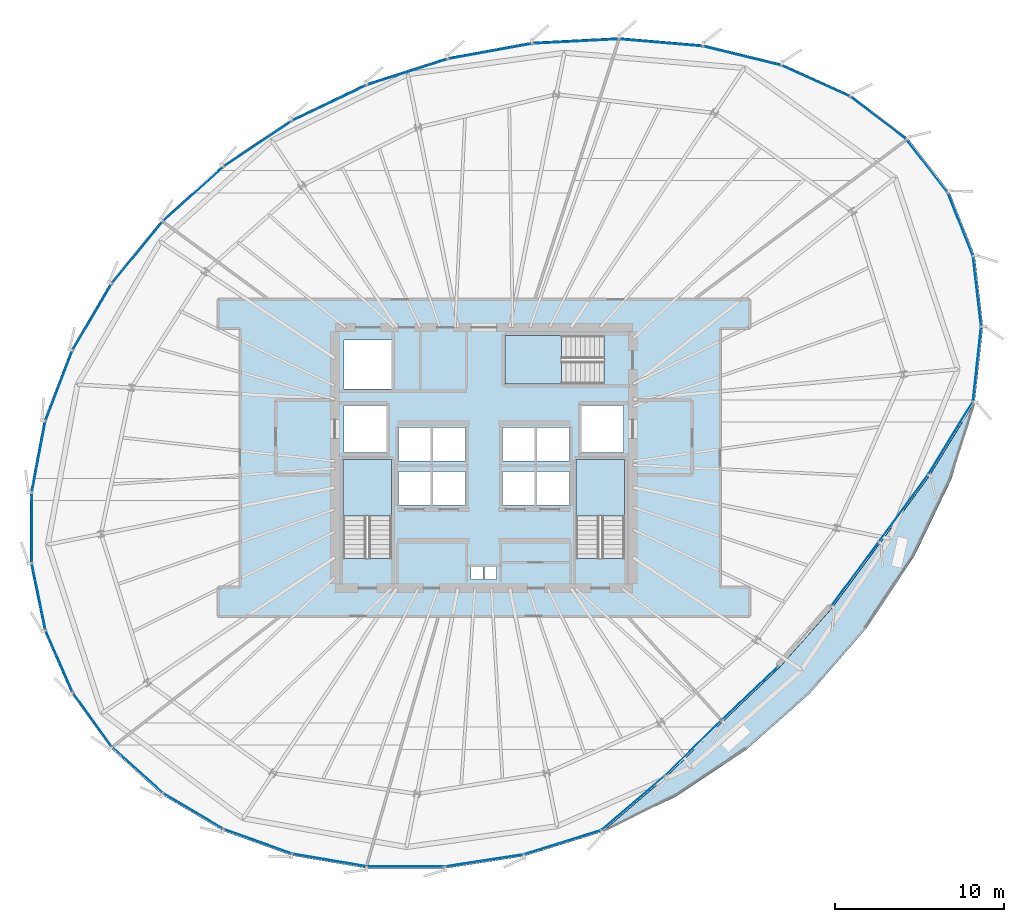
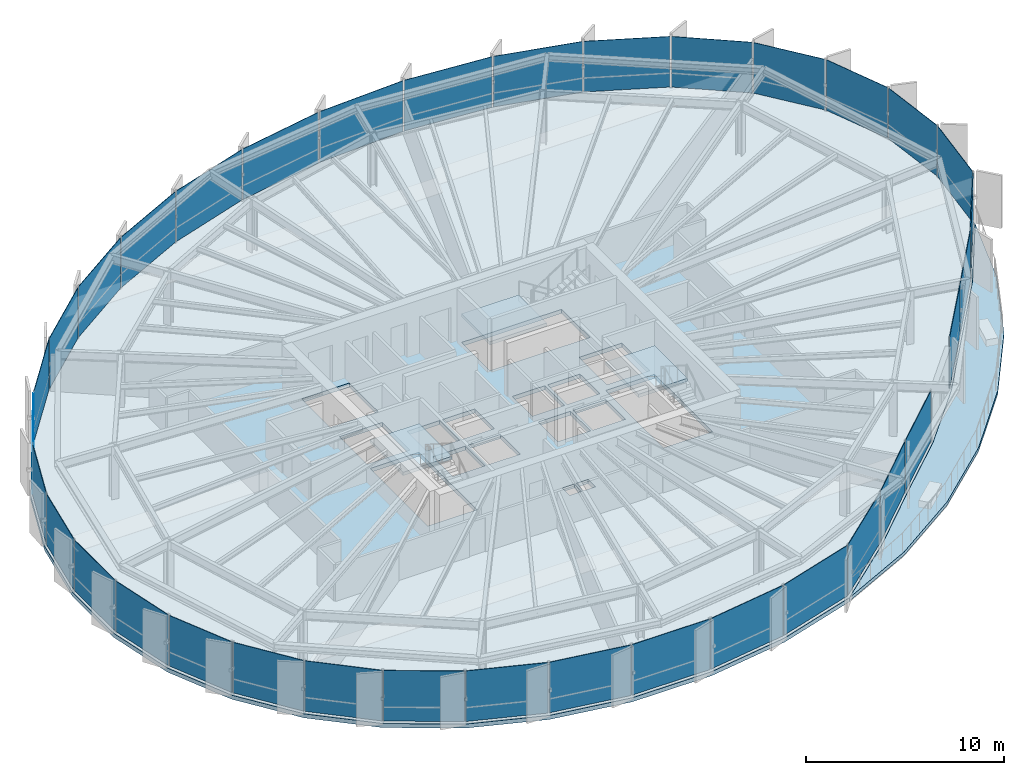
# One storey, part 27 of 34: 35 plates, 5 slabs, 9 elements without a shape of their own.
"""IFC4 building model written with IfcOpenShell, lengths in metres."""

from ifc_helpers import new_model, si_unit, direction, frame, origin, origin_2d, place, context, subcontext, project, spatial, polyline, rectangle, outline, extrude, source, transform, mapped, material, layer, layer_set, type_object, element, aggregate, save


model = new_model("IFC4")

# Units and contexts
model_context = context("Model", 3, precision=1e-05, world=origin(), true_north=direction((0.0, 1.0)))
body_context = subcontext(model_context, "Body", "Model", "MODEL_VIEW")
ifc_project = project(units=[si_unit("LENGTHUNIT", "METRE"), si_unit("AREAUNIT", "SQUARE_METRE"), si_unit("VOLUMEUNIT", "CUBIC_METRE"), si_unit("PLANEANGLEUNIT", "RADIAN"), si_unit("MASSUNIT", "GRAM", prefix="KILO"), si_unit("THERMODYNAMICTEMPERATUREUNIT", "KELVIN")], contexts=[model_context])

# Site, building, storey
site_placement = place(None, origin())
site = spatial("IfcSite", under=ifc_project, at=site_placement, CompositionType="ELEMENT")
building_placement = place(site_placement, origin())
building = spatial("IfcBuilding", under=site, at=building_placement, Name="Kethvar Cultural Tower", CompositionType="ELEMENT")
storey_placement = place(building_placement, frame((0.0, 0.0, 153.64990234375)))
storey = spatial("IfcBuildingStorey", under=building, at=storey_placement, Name="L39", CompositionType="ELEMENT", Elevation=153.64990234375)

# Stair, slab
ifc_material_1 = material(Name="Concrete C40/50", Category="concrete")
stair_type = type_object("IfcStairType", Name="ST-DOGLEG-135", PredefinedType="HALF_TURN_STAIR", material=ifc_material_1)
stair_1_placement = place(storey_placement, origin())
stair_1 = element("IfcStair", 1, at=stair_1_placement, inside=storey, type_object=stair_type, Name="L39 Core Exit Stair 1", PredefinedType="HALF_TURN_STAIR")
ifc_layer_1 = layer(ifc_material_1, 0.199951171875, Name="Concrete C40/50", Category="concrete")
ifc_layer_set_1 = layer_set([ifc_layer_1], Name="Concrete C40/50 (200 mm)")
slab_type_1 = type_object("IfcSlabType", Name="SL-STAIR-LANDING-200", PredefinedType="LANDING", material=ifc_layer_set_1)
slab_1_placement = place(storey_placement, frame((0.0, 0.0, 1.5751953125)))
slab_1 = element("IfcSlab", 2, at=slab_1_placement, type_object=slab_type_1, Name="ST-01 landing 1", PredefinedType="LANDING", context=body_context, shape_type="SweptSolid", body=[
    extrude(outline(polyline([(41.35009765625, 24.3701171875), (41.35009765625, 27.699951171875), (38.489990234375, 27.699951171875), (38.489990234375, 24.3701171875), (41.35009765625, 24.3701171875)])), origin(), (0.0, 0.0, 1.0), 0.199951171875),
])
aggregate(stair_1, [slab_1])

stair_2_placement = place(storey_placement, origin())
stair_2 = element("IfcStair", 3, at=stair_2_placement, inside=storey, type_object=stair_type, Name="L39 Core Exit Stair 2", PredefinedType="HALF_TURN_STAIR")
slab_2_placement = place(storey_placement, frame((0.0, 0.0, 1.5751953125)))
slab_2 = element("IfcSlab", 4, at=slab_2_placement, type_object=slab_type_1, Name="ST-02 landing 1", PredefinedType="LANDING", context=body_context, shape_type="SweptSolid", body=[
    extrude(outline(polyline([(55.110107421875, 24.3701171875), (55.110107421875, 27.699951171875), (52.25, 27.699951171875), (52.25, 24.3701171875), (55.110107421875, 24.3701171875)])), origin(), (0.0, 0.0, 1.0), 0.199951171875),
])
aggregate(stair_2, [slab_2])

stair_3_placement = place(storey_placement, origin())
stair_3 = element("IfcStair", 5, at=stair_3_placement, inside=storey, type_object=stair_type, Name="L39 Core Exit Stair 3", PredefinedType="HALF_TURN_STAIR")
slab_3_placement = place(storey_placement, frame((0.0, 0.0, 1.5751953125)))
slab_3 = element("IfcSlab", 6, at=slab_3_placement, type_object=slab_type_1, Name="ST-03 landing 1", PredefinedType="LANDING", context=body_context, shape_type="SweptSolid", body=[
    extrude(outline(polyline([(51.3798828125, 35.010009765625), (48.050048828125, 35.010009765625), (48.050048828125, 32.14990234375), (51.3798828125, 32.14990234375), (51.3798828125, 35.010009765625)])), origin(), (0.0, 0.0, 1.0), 0.199951171875),
])
aggregate(stair_3, [slab_3])

# Slabs
ifc_layer_2 = layer(ifc_material_1, 0.215087890625, Name="Concrete C40/50", Category="concrete")
ifc_layer_set_2 = layer_set([ifc_layer_2], Name="Concrete C40/50 (215 mm)")
slab_type_2 = type_object("IfcSlabType", Name="SL-TER-EXT", PredefinedType="FLOOR", material=ifc_layer_set_2)
slab_4_placement = place(storey_placement, frame((0.0, 0.0, -0.21484375)))
element("IfcSlab", 7, at=slab_4_placement, inside=storey, type_object=slab_type_2, Name="L39 Spiralling Sky Terrace Deck", PredefinedType="FLOOR", context=body_context, shape_type="SweptSolid", body=[
    extrude(outline(polyline([(53.79150390625, 5.70849609375), (58.197021484375, 7.819091796875), (62.295654296875, 10.55908203125), (66.059814453125, 13.90087890625), (69.409912109375, 17.762451171875), (72.233642578125, 22.02099609375), (74.4033203125, 26.5224609375), (75.789306640625, 31.094482421875), (73.131591796875, 26.753662109375), (70.205810546875, 22.77099609375), (67.380859375, 18.9482421875), (64.267578125, 15.4208984375), (60.91455078125, 12.222412109375), (57.556640625, 8.941650390625), (53.79150390625, 5.70849609375)])), origin(), (0.0, 0.0, 1.0), 0.21484375),
])
ifc_layer_3 = layer(ifc_material_1, 0.25, Name="Concrete C40/50", Category="concrete")
ifc_layer_set_3 = layer_set([ifc_layer_3], Name="Concrete C40/50 (250 mm)")
slab_type_3 = type_object("IfcSlabType", Name="SL-TOW-250", PredefinedType="FLOOR", material=ifc_layer_set_3)
slab_5_placement = place(storey_placement, frame((0.0, 0.0, -0.25)))
element("IfcSlab", 8, at=slab_5_placement, inside=storey, type_object=slab_type_3, Name="L39 Structural Floor Slab", PredefinedType="FLOOR", context=body_context, shape_type="SweptSolid", body=[
    extrude(outline(polyline([(74.30078125, 43.486083984375), (71.833984375, 46.677734375), (68.482666015625, 49.224853515625), (64.392333984375, 51.075439453125), (59.751708984375, 52.209716796875), (54.7724609375, 52.633544921875), (49.669677734375, 52.37060546875), (44.640625, 51.452880859375), (39.847900390625, 49.9140625), (35.403076171875, 47.781005859375), (31.34375, 45.063232421875), (27.75390625, 41.821044921875), (24.742919921875, 38.15283203125), (22.402099609375, 34.169921875), (20.802734375, 29.99365234375), (19.9931640625, 25.75048828125), (19.998046875, 21.56982421875), (20.8173828125, 17.578369140625), (22.42626953125, 13.8974609375), (24.775390625, 10.638916015625), (27.794189453125, 7.90185546875), (31.39013671875, 5.76953125), (35.454345703125, 4.306396484375), (39.86328125, 3.55712890625), (44.483154296875, 3.544677734375), (49.17333984375, 4.26904296875), (53.79150390625, 5.70849609375), (57.556640625, 8.941650390625), (60.91455078125, 12.222412109375), (64.267578125, 15.4208984375), (67.380859375, 18.9482421875), (70.205810546875, 22.77099609375), (73.131591796875, 26.753662109375), (75.789306640625, 31.094482421875), (76.278564453125, 35.556884765625), (75.792236328125, 39.73828125), (74.30078125, 43.486083984375)]), holes=[polyline([(38.489990234375, 21.85009765625), (38.489990234375, 27.699951171875), (41.35009765625, 27.699951171875), (41.35009765625, 21.85009765625), (38.489990234375, 21.85009765625)]), polyline([(52.25, 21.85009765625), (52.25, 27.699951171875), (55.110107421875, 27.699951171875), (55.110107421875, 21.85009765625), (52.25, 21.85009765625)]), polyline([(53.89990234375, 32.14990234375), (48.050048828125, 32.14990234375), (48.050048828125, 35.010009765625), (53.89990234375, 35.010009765625), (53.89990234375, 32.14990234375)]), polyline([(41.75, 27.0), (43.64990234375, 27.0), (43.64990234375, 25.0), (41.75, 25.0), (41.75, 27.0)]), polyline([(43.800048828125, 27.0), (45.699951171875, 27.0), (45.699951171875, 25.0), (43.800048828125, 25.0), (43.800048828125, 27.0)]), polyline([(47.89990234375, 27.0), (49.800048828125, 27.0), (49.800048828125, 25.0), (47.89990234375, 25.0), (47.89990234375, 27.0)]), polyline([(49.949951171875, 27.0), (51.85009765625, 27.0), (51.85009765625, 25.0), (49.949951171875, 25.0), (49.949951171875, 27.0)]), polyline([(41.75, 29.60009765625), (43.64990234375, 29.60009765625), (43.64990234375, 27.60009765625), (41.75, 27.60009765625), (41.75, 29.60009765625)]), polyline([(43.800048828125, 29.60009765625), (45.699951171875, 29.60009765625), (45.699951171875, 27.60009765625), (43.800048828125, 27.60009765625), (43.800048828125, 29.60009765625)]), polyline([(47.89990234375, 29.60009765625), (49.800048828125, 29.60009765625), (49.800048828125, 27.60009765625), (47.89990234375, 27.60009765625), (47.89990234375, 29.60009765625)]), polyline([(49.949951171875, 29.60009765625), (51.85009765625, 29.60009765625), (51.85009765625, 27.60009765625), (49.949951171875, 27.60009765625), (49.949951171875, 29.60009765625)]), polyline([(38.550048828125, 30.89990234375), (41.050048828125, 30.89990234375), (41.050048828125, 28.10009765625), (38.550048828125, 28.10009765625), (38.550048828125, 30.89990234375)]), polyline([(52.550048828125, 30.89990234375), (55.050048828125, 30.89990234375), (55.050048828125, 28.10009765625), (52.550048828125, 28.10009765625), (52.550048828125, 30.89990234375)]), polyline([(38.550048828125, 34.75), (41.35009765625, 34.75), (41.35009765625, 31.85009765625), (38.550048828125, 31.85009765625), (38.550048828125, 34.75)]), polyline([(46.050048828125, 21.35009765625), (46.75, 21.35009765625), (46.75, 20.60009765625), (46.050048828125, 20.60009765625), (46.050048828125, 21.35009765625)]), polyline([(46.85009765625, 21.35009765625), (47.550048828125, 21.35009765625), (47.550048828125, 20.60009765625), (46.85009765625, 20.60009765625), (46.85009765625, 21.35009765625)])]), origin(), (0.0, 0.0, 1.0), 0.25),
])

# Curtain wall, plate
ifc_material_2 = material(Name="Aluminium 6063-T6", Category="aluminium")
ifc_layer_4 = layer(ifc_material_2, 0.179931640625, Name="Aluminium 6063-T6", Category="aluminium")
ifc_layer_set_4 = layer_set([ifc_layer_4], Name="Aluminium 6063-T6 (180 mm)")
curtain_wall_type = type_object("IfcCurtainWallType", Name="CW-SYS-04-Z34", PredefinedType="NOTDEFINED", material=ifc_layer_set_4)
curtain_wall_1_placement = place(storey_placement, origin())
curtain_wall_1 = element("IfcCurtainWall", 9, at=curtain_wall_1_placement, inside=storey, type_object=curtain_wall_type, Name="L39 Curtain Wall Run 04", PredefinedType="NOTDEFINED")
ifc_material_3 = material(Name="Insulated Low-E Solar Glass", Category="glass")
ifc_layer_5 = layer(ifc_material_3, 0.030029296875, Name="Insulated Low-E Solar Glass", Category="glass")
ifc_layer_set_5 = layer_set([ifc_layer_5], Name="Insulated Low-E Solar Glass (30 mm)")
plate_type = type_object("IfcPlateType", Name="CW-SYS-04-Z34-PNL", PredefinedType="CURTAIN_PANEL", material=ifc_layer_set_5)
shared_shape_1 = source(origin(), body_context, "Body", "SweptSolid", [
    extrude(rectangle(XDim=4.233154296875, YDim=0.030029296875, at=origin_2d()), origin(), (0.0, 0.0, 1.0), 3.1201171875),
])
plate_1_placement = place(storey_placement, frame((33.45947265625, 5.141357421875, 0.090087890625), z_axis=(0.0, 0.0, 1.0), x_axis=(0.940892592565, -0.338705077104, 0.0)))
plate_1 = element("IfcPlate", 10, at=plate_1_placement, type_object=plate_type, Name="CW-L39-R04 Vision Glazing Panel 4", PredefinedType="CURTAIN_PANEL", context=body_context, shape_type="MappedRepresentation", body=[
    mapped(shared_shape_1, transform((0.0, 0.0, 0.0), scale=1.0)),
])

# Curtain wall, plates
curtain_wall_2_placement = place(storey_placement, origin())
curtain_wall_2 = element("IfcCurtainWall", 11, at=curtain_wall_2_placement, inside=storey, type_object=curtain_wall_type, Name="L39 Curtain Wall Run 01", PredefinedType="NOTDEFINED")
shared_shape_2 = source(origin(), body_context, "Body", "SweptSolid", [
    extrude(rectangle(XDim=4.910888671875, YDim=0.030029296875, at=origin_2d()), origin(), (0.0, 0.0, 1.0), 3.1201171875),
])
plate_2_placement = place(storey_placement, frame((57.252685546875, 52.31201171875, 0.090087890625), z_axis=(0.0, 0.0, 1.0), x_axis=(-0.996395808185, 0.084825664932, 0.0)))
plate_2 = element("IfcPlate", 12, at=plate_2_placement, type_object=plate_type, Name="CW-L39-R01 Vision Glazing Panel 5", PredefinedType="CURTAIN_PANEL", context=body_context, shape_type="MappedRepresentation", body=[
    mapped(shared_shape_2, transform((0.0, 0.0, 0.0), scale=1.0)),
])
shared_shape_3 = source(origin(), body_context, "Body", "SweptSolid", [
    extrude(rectangle(XDim=3.947265625, YDim=0.030029296875, at=origin_2d()), origin(), (0.0, 0.0, 1.0), 3.1201171875),
])
plate_3_placement = place(storey_placement, frame((72.98046875, 45.0146484375, 0.090087890625), z_axis=(0.0, 0.0, 1.0), x_axis=(-0.611540849548, 0.791212859687, 0.0)))
plate_3 = element("IfcPlate", 13, at=plate_3_placement, type_object=plate_type, Name="CW-L39-R01 Vision Glazing Panel 1", PredefinedType="CURTAIN_PANEL", context=body_context, shape_type="MappedRepresentation", body=[
    mapped(shared_shape_3, transform((0.0, 0.0, 0.0), scale=1.0)),
])

# Curtain wall, plate
curtain_wall_3_placement = place(storey_placement, origin())
curtain_wall_3 = element("IfcCurtainWall", 14, at=curtain_wall_3_placement, inside=storey, type_object=curtain_wall_type, Name="L39 Curtain Wall Run 06", PredefinedType="NOTDEFINED")
plate_4_placement = place(storey_placement, frame((74.9443359375, 41.57177734375, 0.090087890625), z_axis=(0.0, 0.0, 1.0), x_axis=(-0.369714324203, 0.929145477565, 0.0)))
plate_4 = element("IfcPlate", 15, at=plate_4_placement, type_object=plate_type, Name="CW-L39-R06 Vision Glazing Panel 6", PredefinedType="CURTAIN_PANEL", context=body_context, shape_type="MappedRepresentation", body=[
    mapped(shared_shape_3, transform((0.0, 0.0, 0.0), scale=1.0)),
])

# Plate
shared_shape_4 = source(origin(), body_context, "Body", "SweptSolid", [
    extrude(rectangle(XDim=4.123046875, YDim=0.030029296875, at=origin_2d()), origin(), (0.0, 0.0, 1.0), 3.1201171875),
])
plate_5_placement = place(storey_placement, frame((70.091796875, 47.86376953125, 0.090087890625), z_axis=(0.0, 0.0, 1.0), x_axis=(-0.796171001464, 0.605071678752, 0.0)))
plate_5 = element("IfcPlate", 16, at=plate_5_placement, type_object=plate_type, Name="CW-L39-R01 Vision Glazing Panel 2", PredefinedType="CURTAIN_PANEL", context=body_context, shape_type="MappedRepresentation", body=[
    mapped(shared_shape_4, transform((0.0, 0.0, 0.0), scale=1.0)),
])

shared_shape_5 = source(origin(), body_context, "Body", "SweptSolid", [
    extrude(rectangle(XDim=4.403076171875, YDim=0.030029296875, at=origin_2d()), origin(), (0.0, 0.0, 1.0), 3.1201171875),
])
plate_6_placement = place(storey_placement, frame((66.39208984375, 50.0498046875, 0.090087890625), z_axis=(0.0, 0.0, 1.0), x_axis=(-0.91108698758, 0.412214144665, 0.0)))
plate_6 = element("IfcPlate", 17, at=plate_6_placement, type_object=plate_type, Name="CW-L39-R01 Vision Glazing Panel 3", PredefinedType="CURTAIN_PANEL", context=body_context, shape_type="MappedRepresentation", body=[
    mapped(shared_shape_5, transform((0.0, 0.0, 0.0), scale=1.0)),
])

shared_shape_6 = source(origin(), body_context, "Body", "SweptSolid", [
    extrude(rectangle(XDim=4.69091796875, YDim=0.030029296875, at=origin_2d()), origin(), (0.0, 0.0, 1.0), 3.1201171875),
])
plate_7_placement = place(storey_placement, frame((62.0458984375, 51.53564453125, 0.090087890625), z_axis=(0.0, 0.0, 1.0), x_axis=(-0.971404262546, 0.237431587424, 0.0)))
plate_7 = element("IfcPlate", 18, at=plate_7_placement, type_object=plate_type, Name="CW-L39-R01 Vision Glazing Panel 4", PredefinedType="CURTAIN_PANEL", context=body_context, shape_type="MappedRepresentation", body=[
    mapped(shared_shape_6, transform((0.0, 0.0, 0.0), scale=1.0)),
])

shared_shape_7 = source(origin(), body_context, "Body", "SweptSolid", [
    extrude(rectangle(XDim=5.023193359375, YDim=0.030029296875, at=origin_2d()), origin(), (0.0, 0.0, 1.0), 3.1201171875),
])
plate_8_placement = place(storey_placement, frame((52.226806640625, 52.392333984375, 0.090087890625), z_axis=(0.0, 0.0, 1.0), x_axis=(-0.998675724309, -0.051447037584, 0.0)))
plate_8 = element("IfcPlate", 19, at=plate_8_placement, type_object=plate_type, Name="CW-L39-R01 Vision Glazing Panel 6", PredefinedType="CURTAIN_PANEL", context=body_context, shape_type="MappedRepresentation", body=[
    mapped(shared_shape_7, transform((0.0, 0.0, 0.0), scale=1.0)),
])

aggregate(curtain_wall_2, [plate_3, plate_5, plate_6, plate_7, plate_2, plate_8])

# Curtain wall, plates
curtain_wall_4_placement = place(storey_placement, origin())
curtain_wall_4 = element("IfcCurtainWall", 20, at=curtain_wall_4_placement, inside=storey, type_object=curtain_wall_type, Name="L39 Curtain Wall Run 02", PredefinedType="NOTDEFINED")
shared_shape_8 = source(origin(), body_context, "Body", "SweptSolid", [
    extrude(rectangle(XDim=5.025634765625, YDim=0.030029296875, at=origin_2d()), origin(), (0.0, 0.0, 1.0), 3.1201171875),
])
plate_9_placement = place(storey_placement, frame((47.1748046875, 51.8037109375, 0.090087890625), z_axis=(0.0, 0.0, 1.0), x_axis=(-0.983753704733, -0.179523392414, 0.0)))
plate_9 = element("IfcPlate", 21, at=plate_9_placement, type_object=plate_type, Name="CW-L39-R02 Vision Glazing Panel 1", PredefinedType="CURTAIN_PANEL", context=body_context, shape_type="MappedRepresentation", body=[
    mapped(shared_shape_8, transform((0.0, 0.0, 0.0), scale=1.0)),
])
shared_shape_9 = source(origin(), body_context, "Body", "SweptSolid", [
    extrude(rectangle(XDim=4.947265625, YDim=0.030029296875, at=origin_2d()), origin(), (0.0, 0.0, 1.0), 3.1201171875),
])
plate_10_placement = place(storey_placement, frame((42.27783203125, 50.578857421875, 0.090087890625), z_axis=(0.0, 0.0, 1.0), x_axis=(-0.952124057208, -0.305711922709, 0.0)))
plate_10 = element("IfcPlate", 22, at=plate_10_placement, type_object=plate_type, Name="CW-L39-R02 Vision Glazing Panel 2", PredefinedType="CURTAIN_PANEL", context=body_context, shape_type="MappedRepresentation", body=[
    mapped(shared_shape_9, transform((0.0, 0.0, 0.0), scale=1.0)),
])
shared_shape_10 = source(origin(), body_context, "Body", "SweptSolid", [
    extrude(rectangle(XDim=4.84375, YDim=0.030029296875, at=origin_2d()), origin(), (0.0, 0.0, 1.0), 3.1201171875),
])
plate_11_placement = place(storey_placement, frame((37.673095703125, 48.748291015625, 0.090087890625), z_axis=(0.0, 0.0, 1.0), x_axis=(-0.901560860926, -0.432652301562, 0.0)))
plate_11 = element("IfcPlate", 23, at=plate_11_placement, type_object=plate_type, Name="CW-L39-R02 Vision Glazing Panel 3", PredefinedType="CURTAIN_PANEL", context=body_context, shape_type="MappedRepresentation", body=[
    mapped(shared_shape_10, transform((0.0, 0.0, 0.0), scale=1.0)),
])
shared_shape_11 = source(origin(), body_context, "Body", "SweptSolid", [
    extrude(rectangle(XDim=4.798583984375, YDim=0.030029296875, at=origin_2d()), origin(), (0.0, 0.0, 1.0), 3.1201171875),
])
plate_12_placement = place(storey_placement, frame((33.4345703125, 46.330810546875, 0.090087890625), z_axis=(0.0, 0.0, 1.0), x_axis=(-0.830965050388, -0.556324621991, 0.0)))
plate_12 = element("IfcPlate", 24, at=plate_12_placement, type_object=plate_type, Name="CW-L39-R02 Vision Glazing Panel 4", PredefinedType="CURTAIN_PANEL", context=body_context, shape_type="MappedRepresentation", body=[
    mapped(shared_shape_11, transform((0.0, 0.0, 0.0), scale=1.0)),
])
shared_shape_12 = source(origin(), body_context, "Body", "SweptSolid", [
    extrude(rectangle(XDim=4.750732421875, YDim=0.030029296875, at=origin_2d()), origin(), (0.0, 0.0, 1.0), 3.1201171875),
])
plate_13_placement = place(storey_placement, frame((29.62255859375, 43.360595703125, 0.090087890625), z_axis=(0.0, 0.0, 1.0), x_axis=(-0.742116238524, -0.670271205199, 0.0)))
plate_13 = element("IfcPlate", 25, at=plate_13_placement, type_object=plate_type, Name="CW-L39-R02 Vision Glazing Panel 5", PredefinedType="CURTAIN_PANEL", context=body_context, shape_type="MappedRepresentation", body=[
    mapped(shared_shape_12, transform((0.0, 0.0, 0.0), scale=1.0)),
])

# Curtain wall, plate
curtain_wall_5_placement = place(storey_placement, origin())
curtain_wall_5 = element("IfcCurtainWall", 26, at=curtain_wall_5_placement, inside=storey, type_object=curtain_wall_type, Name="L39 Curtain Wall Run 05", PredefinedType="NOTDEFINED")
plate_14_placement = place(storey_placement, frame((51.44970703125, 5.09375, 0.090087890625), z_axis=(0.0, 0.0, 1.0), x_axis=(0.954698496515, 0.297574832188, 0.0)))
plate_14 = element("IfcPlate", 27, at=plate_14_placement, type_object=plate_type, Name="CW-L39-R05 Vision Glazing Panel 2", PredefinedType="CURTAIN_PANEL", context=body_context, shape_type="MappedRepresentation", body=[
    mapped(shared_shape_12, transform((0.0, 0.0, 0.0), scale=1.0)),
])

# Plate
shared_shape_13 = source(origin(), body_context, "Body", "SweptSolid", [
    extrude(rectangle(XDim=4.659423828125, YDim=0.030029296875, at=origin_2d()), origin(), (0.0, 0.0, 1.0), 3.1201171875),
])
plate_15_placement = place(storey_placement, frame((26.33349609375, 39.9169921875, 0.090087890625), z_axis=(0.0, 0.0, 1.0), x_axis=(-0.634460739636, -0.772955089162, 0.0)))
plate_15 = element("IfcPlate", 28, at=plate_15_placement, type_object=plate_type, Name="CW-L39-R02 Vision Glazing Panel 6", PredefinedType="CURTAIN_PANEL", context=body_context, shape_type="MappedRepresentation", body=[
    mapped(shared_shape_13, transform((0.0, 0.0, 0.0), scale=1.0)),
])

aggregate(curtain_wall_4, [plate_9, plate_10, plate_11, plate_12, plate_13, plate_15])

# Curtain wall, plates
curtain_wall_6_placement = place(storey_placement, origin())
curtain_wall_6 = element("IfcCurtainWall", 29, at=curtain_wall_6_placement, inside=storey, type_object=curtain_wall_type, Name="L39 Curtain Wall Run 03", PredefinedType="NOTDEFINED")
shared_shape_14 = source(origin(), body_context, "Body", "SweptSolid", [
    extrude(rectangle(XDim=4.533203125, YDim=0.030029296875, at=origin_2d()), origin(), (0.0, 0.0, 1.0), 3.1201171875),
])
plate_16_placement = place(storey_placement, frame((23.66748046875, 36.105712890625, 0.090087890625), z_axis=(0.0, 0.0, 1.0), x_axis=(-0.50669597779, -0.862124808883, 0.0)))
plate_16 = element("IfcPlate", 30, at=plate_16_placement, type_object=plate_type, Name="CW-L39-R03 Vision Glazing Panel 1", PredefinedType="CURTAIN_PANEL", context=body_context, shape_type="MappedRepresentation", body=[
    mapped(shared_shape_14, transform((0.0, 0.0, 0.0), scale=1.0)),
])
shared_shape_15 = source(origin(), body_context, "Body", "SweptSolid", [
    extrude(rectangle(XDim=4.3857421875, YDim=0.030029296875, at=origin_2d()), origin(), (0.0, 0.0, 1.0), 3.1201171875),
])
plate_17_placement = place(storey_placement, frame((21.705078125, 32.04248046875, 0.090087890625), z_axis=(0.0, 0.0, 1.0), x_axis=(-0.357650905644, -0.933855358014, 0.0)))
plate_17 = element("IfcPlate", 31, at=plate_17_placement, type_object=plate_type, Name="CW-L39-R03 Vision Glazing Panel 2", PredefinedType="CURTAIN_PANEL", context=body_context, shape_type="MappedRepresentation", body=[
    mapped(shared_shape_15, transform((0.0, 0.0, 0.0), scale=1.0)),
])

# Plate
plate_18_placement = place(storey_placement, frame((37.67724609375, 4.040283203125, 0.090087890625), z_axis=(0.0, 0.0, 1.0), x_axis=(0.985867677139, -0.167525888066, 0.0)))
plate_18 = element("IfcPlate", 32, at=plate_18_placement, type_object=plate_type, Name="CW-L39-R04 Vision Glazing Panel 5", PredefinedType="CURTAIN_PANEL", context=body_context, shape_type="MappedRepresentation", body=[
    mapped(shared_shape_15, transform((0.0, 0.0, 0.0), scale=1.0)),
])

shared_shape_16 = source(origin(), body_context, "Body", "SweptSolid", [
    extrude(rectangle(XDim=4.2333984375, YDim=0.030029296875, at=origin_2d()), origin(), (0.0, 0.0, 1.0), 3.1201171875),
])
plate_19_placement = place(storey_placement, frame((20.506103515625, 27.851318359375, 0.090087890625), z_axis=(0.0, 0.0, 1.0), x_axis=(-0.187398458704, -0.982283980158, 0.0)))
plate_19 = element("IfcPlate", 33, at=plate_19_placement, type_object=plate_type, Name="CW-L39-R03 Vision Glazing Panel 3", PredefinedType="CURTAIN_PANEL", context=body_context, shape_type="MappedRepresentation", body=[
    mapped(shared_shape_16, transform((0.0, 0.0, 0.0), scale=1.0)),
])

shared_shape_17 = source(origin(), body_context, "Body", "SweptSolid", [
    extrude(rectangle(XDim=4.09423828125, YDim=0.030029296875, at=origin_2d()), origin(), (0.0, 0.0, 1.0), 3.1201171875),
])
plate_20_placement = place(storey_placement, frame((20.105712890625, 23.66015625, 0.090087890625), z_axis=(0.0, 0.0, 1.0), x_axis=(0.001169370332, -0.999999316286, 0.0)))
plate_20 = element("IfcPlate", 34, at=plate_20_placement, type_object=plate_type, Name="CW-L39-R03 Vision Glazing Panel 4", PredefinedType="CURTAIN_PANEL", context=body_context, shape_type="MappedRepresentation", body=[
    mapped(shared_shape_17, transform((0.0, 0.0, 0.0), scale=1.0)),
])

plate_21_placement = place(storey_placement, frame((29.648193359375, 6.930419921875, 0.090087890625), z_axis=(0.0, 0.0, 1.0), x_axis=(0.860137278432, -0.510062606207, 0.0)))
plate_21 = element("IfcPlate", 35, at=plate_21_placement, type_object=plate_type, Name="CW-L39-R04 Vision Glazing Panel 3", PredefinedType="CURTAIN_PANEL", context=body_context, shape_type="MappedRepresentation", body=[
    mapped(shared_shape_17, transform((0.0, 0.0, 0.0), scale=1.0)),
])

shared_shape_18 = source(origin(), body_context, "Body", "SweptSolid", [
    extrude(rectangle(XDim=3.98828125, YDim=0.030029296875, at=origin_2d()), origin(), (0.0, 0.0, 1.0), 3.1201171875),
])
plate_22_placement = place(storey_placement, frame((20.515380859375, 19.59619140625, 0.090087890625), z_axis=(0.0, 0.0, 1.0), x_axis=(0.201060824302, -0.979578758922, 0.0)))
plate_22 = element("IfcPlate", 36, at=plate_22_placement, type_object=plate_type, Name="CW-L39-R03 Vision Glazing Panel 5", PredefinedType="CURTAIN_PANEL", context=body_context, shape_type="MappedRepresentation", body=[
    mapped(shared_shape_18, transform((0.0, 0.0, 0.0), scale=1.0)),
])

plate_23_placement = place(storey_placement, frame((26.358642578125, 9.351806640625, 0.090087890625), z_axis=(0.0, 0.0, 1.0), x_axis=(0.740804596287, -0.671720589323, 0.0)))
plate_23 = element("IfcPlate", 37, at=plate_23_placement, type_object=plate_type, Name="CW-L39-R04 Vision Glazing Panel 2", PredefinedType="CURTAIN_PANEL", context=body_context, shape_type="MappedRepresentation", body=[
    mapped(shared_shape_18, transform((0.0, 0.0, 0.0), scale=1.0)),
])

shared_shape_19 = source(origin(), body_context, "Body", "SweptSolid", [
    extrude(rectangle(XDim=3.930908203125, YDim=0.030029296875, at=origin_2d()), origin(), (0.0, 0.0, 1.0), 3.1201171875),
])
plate_24_placement = place(storey_placement, frame((21.72265625, 15.781982421875, 0.090087890625), z_axis=(0.0, 0.0, 1.0), x_axis=(0.400492969538, -0.916299831578, 0.0)))
plate_24 = element("IfcPlate", 38, at=plate_24_placement, type_object=plate_type, Name="CW-L39-R03 Vision Glazing Panel 6", PredefinedType="CURTAIN_PANEL", context=body_context, shape_type="MappedRepresentation", body=[
    mapped(shared_shape_19, transform((0.0, 0.0, 0.0), scale=1.0)),
])

aggregate(curtain_wall_6, [plate_16, plate_17, plate_19, plate_20, plate_22, plate_24])

shared_shape_20 = source(origin(), body_context, "Body", "SweptSolid", [
    extrude(rectangle(XDim=3.9306640625, YDim=0.030029296875, at=origin_2d()), origin(), (0.0, 0.0, 1.0), 3.1201171875),
])
plate_25_placement = place(storey_placement, frame((23.690185546875, 12.33251953125, 0.090087890625), z_axis=(0.0, 0.0, 1.0), x_axis=(0.584844423413, -0.811145486582, 0.0)))
plate_25 = element("IfcPlate", 39, at=plate_25_placement, type_object=plate_type, Name="CW-L39-R04 Vision Glazing Panel 1", PredefinedType="CURTAIN_PANEL", context=body_context, shape_type="MappedRepresentation", body=[
    mapped(shared_shape_20, transform((0.0, 0.0, 0.0), scale=1.0)),
])

shared_shape_21 = source(origin(), body_context, "Body", "SweptSolid", [
    extrude(rectangle(XDim=4.533447265625, YDim=0.030029296875, at=origin_2d()), origin(), (0.0, 0.0, 1.0), 3.1201171875),
])
plate_26_placement = place(storey_placement, frame((42.173583984375, 3.660888671875, 0.090087890625), z_axis=(0.0, 0.0, 1.0), x_axis=(0.999996293418, -0.002722710269, 0.0)))
plate_26 = element("IfcPlate", 40, at=plate_26_placement, type_object=plate_type, Name="CW-L39-R04 Vision Glazing Panel 6", PredefinedType="CURTAIN_PANEL", context=body_context, shape_type="MappedRepresentation", body=[
    mapped(shared_shape_21, transform((0.0, 0.0, 0.0), scale=1.0)),
])

aggregate(curtain_wall_1, [plate_25, plate_23, plate_21, plate_1, plate_18, plate_26])

shared_shape_22 = source(origin(), body_context, "Body", "SweptSolid", [
    extrude(rectangle(XDim=4.6591796875, YDim=0.030029296875, at=origin_2d()), origin(), (0.0, 0.0, 1.0), 3.1201171875),
])
plate_27_placement = place(storey_placement, frame((46.811279296875, 4.015380859375, 0.090087890625), z_axis=(0.0, 0.0, 1.0), x_axis=(0.98828172337, 0.15264087019, 0.0)))
plate_27 = element("IfcPlate", 41, at=plate_27_placement, type_object=plate_type, Name="CW-L39-R05 Vision Glazing Panel 1", PredefinedType="CURTAIN_PANEL", context=body_context, shape_type="MappedRepresentation", body=[
    mapped(shared_shape_22, transform((0.0, 0.0, 0.0), scale=1.0)),
])

shared_shape_23 = source(origin(), body_context, "Body", "SweptSolid", [
    extrude(rectangle(XDim=4.876708984375, YDim=0.030029296875, at=origin_2d()), origin(), (0.0, 0.0, 1.0), 3.1201171875),
])
plate_28_placement = place(storey_placement, frame((55.602294921875, 7.408447265625, 0.090087890625), z_axis=(0.0, 0.0, 1.0), x_axis=(0.758657629959, 0.651489524479, 0.0)))
plate_28 = element("IfcPlate", 42, at=plate_28_placement, type_object=plate_type, Name="CW-L39-R05 Vision Glazing Panel 3", PredefinedType="CURTAIN_PANEL", context=body_context, shape_type="MappedRepresentation", body=[
    mapped(shared_shape_23, transform((0.0, 0.0, 0.0), scale=1.0)),
])

shared_shape_24 = source(origin(), body_context, "Body", "SweptSolid", [
    extrude(rectangle(XDim=4.608154296875, YDim=0.030029296875, at=origin_2d()), origin(), (0.0, 0.0, 1.0), 3.1201171875),
])
plate_29_placement = place(storey_placement, frame((59.15869140625, 10.660888671875, 0.090087890625), z_axis=(0.0, 0.0, 1.0), x_axis=(0.715278159743, 0.698839863055, 0.0)))
plate_29 = element("IfcPlate", 43, at=plate_29_placement, type_object=plate_type, Name="CW-L39-R05 Vision Glazing Panel 4", PredefinedType="CURTAIN_PANEL", context=body_context, shape_type="MappedRepresentation", body=[
    mapped(shared_shape_24, transform((0.0, 0.0, 0.0), scale=1.0)),
])

shared_shape_25 = source(origin(), body_context, "Body", "SweptSolid", [
    extrude(rectangle(XDim=4.547607421875, YDim=0.030029296875, at=origin_2d()), origin(), (0.0, 0.0, 1.0), 3.1201171875),
])
plate_30_placement = place(storey_placement, frame((62.51513671875, 13.9013671875, 0.090087890625), z_axis=(0.0, 0.0, 1.0), x_axis=(0.723605919667, 0.690213353263, 0.0)))
plate_30 = element("IfcPlate", 44, at=plate_30_placement, type_object=plate_type, Name="CW-L39-R05 Vision Glazing Panel 5", PredefinedType="CURTAIN_PANEL", context=body_context, shape_type="MappedRepresentation", body=[
    mapped(shared_shape_25, transform((0.0, 0.0, 0.0), scale=1.0)),
])

aggregate(curtain_wall_5, [plate_27, plate_14, plate_28, plate_29, plate_30])

shared_shape_26 = source(origin(), body_context, "Body", "SweptSolid", [
    extrude(rectangle(XDim=4.6669921875, YDim=0.030029296875, at=origin_2d()), origin(), (0.0, 0.0, 1.0), 3.1201171875),
])
plate_31_placement = place(storey_placement, frame((68.704833984375, 20.925048828125, 0.090087890625), z_axis=(0.0, 0.0, 1.0), x_axis=(0.594331627588, 0.804220067176, 0.0)))
plate_31 = element("IfcPlate", 45, at=plate_31_placement, type_object=plate_type, Name="CW-L39-R06 Vision Glazing Panel 1", PredefinedType="CURTAIN_PANEL", context=body_context, shape_type="MappedRepresentation", body=[
    mapped(shared_shape_26, transform((0.0, 0.0, 0.0), scale=1.0)),
])

shared_shape_27 = source(origin(), body_context, "Body", "SweptSolid", [
    extrude(rectangle(XDim=4.85546875, YDim=0.030029296875, at=origin_2d()), origin(), (0.0, 0.0, 1.0), 3.1201171875),
])
plate_32_placement = place(storey_placement, frame((71.580078125, 24.827392578125, 0.090087890625), z_axis=(0.0, 0.0, 1.0), x_axis=(0.592055376294, 0.805897283406, 0.0)))
plate_32 = element("IfcPlate", 46, at=plate_32_placement, type_object=plate_type, Name="CW-L39-R06 Vision Glazing Panel 2", PredefinedType="CURTAIN_PANEL", context=body_context, shape_type="MappedRepresentation", body=[
    mapped(shared_shape_27, transform((0.0, 0.0, 0.0), scale=1.0)),
])

shared_shape_28 = source(origin(), body_context, "Body", "SweptSolid", [
    extrude(rectangle(XDim=5.00341796875, YDim=0.030029296875, at=origin_2d()), origin(), (0.0, 0.0, 1.0), 3.1201171875),
])
plate_33_placement = place(storey_placement, frame((74.36669921875, 28.9814453125, 0.090087890625), z_axis=(0.0, 0.0, 1.0), x_axis=(0.522156250928, 0.852849840017, 0.0)))
plate_33 = element("IfcPlate", 47, at=plate_33_placement, type_object=plate_type, Name="CW-L39-R06 Vision Glazing Panel 3", PredefinedType="CURTAIN_PANEL", context=body_context, shape_type="MappedRepresentation", body=[
    mapped(shared_shape_28, transform((0.0, 0.0, 0.0), scale=1.0)),
])

shared_shape_29 = source(origin(), body_context, "Body", "SweptSolid", [
    extrude(rectangle(XDim=4.40283203125, YDim=0.030029296875, at=origin_2d()), origin(), (0.0, 0.0, 1.0), 3.1201171875),
])
plate_34_placement = place(storey_placement, frame((75.924560546875, 33.337646484375, 0.090087890625), z_axis=(0.0, 0.0, 1.0), x_axis=(0.108970971591, 0.994044932259, 0.0)))
plate_34 = element("IfcPlate", 48, at=plate_34_placement, type_object=plate_type, Name="CW-L39-R06 Vision Glazing Panel 4", PredefinedType="CURTAIN_PANEL", context=body_context, shape_type="MappedRepresentation", body=[
    mapped(shared_shape_29, transform((0.0, 0.0, 0.0), scale=1.0)),
])

shared_shape_30 = source(origin(), body_context, "Body", "SweptSolid", [
    extrude(rectangle(XDim=4.123291015625, YDim=0.030029296875, at=origin_2d()), origin(), (0.0, 0.0, 1.0), 3.1201171875),
])
plate_35_placement = place(storey_placement, frame((75.926025390625, 37.635009765625, 0.090087890625), z_axis=(0.0, 0.0, 1.0), x_axis=(-0.115543945901, 0.993302369153, 0.0)))
plate_35 = element("IfcPlate", 49, at=plate_35_placement, type_object=plate_type, Name="CW-L39-R06 Vision Glazing Panel 5", PredefinedType="CURTAIN_PANEL", context=body_context, shape_type="MappedRepresentation", body=[
    mapped(shared_shape_30, transform((0.0, 0.0, 0.0), scale=1.0)),
])

aggregate(curtain_wall_3, [plate_31, plate_32, plate_33, plate_34, plate_35, plate_4])

save(model, "model.ifc")
